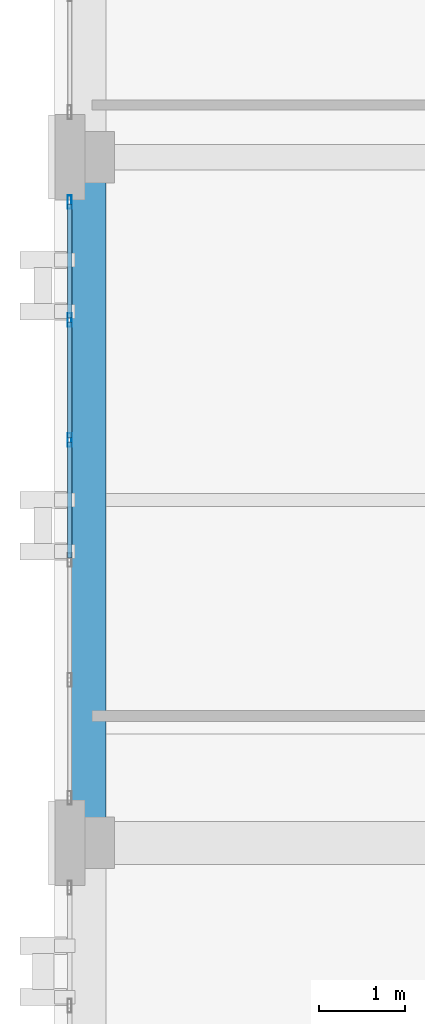
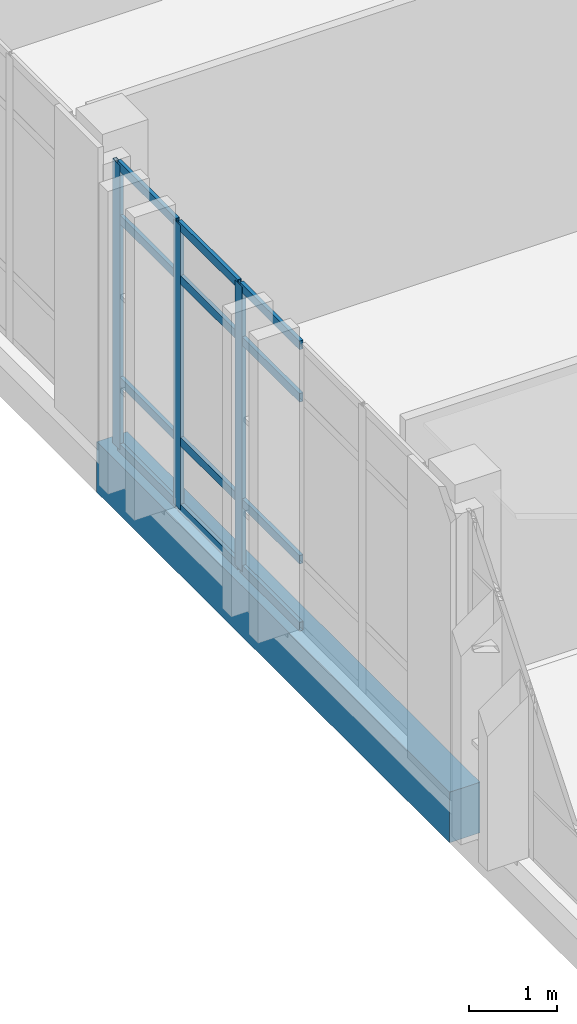
# One storey, part 10 of 48: 15 members, 1 beam, 1 element without a shape of its own.
"""IFC4 building model written with IfcOpenShell, lengths in metres."""

from ifc_helpers import new_model, si_unit, direction, frame, origin, origin_2d, place, context, subcontext, project, spatial, rectangle, hollow_rectangle, extrude, material, layer, layer_set, material_profile, profile_set, type_object, element, aggregate, save


model = new_model("IFC4")

# Units and contexts
model_context = context("Model", 3, precision=1e-05, world=origin(), true_north=direction((0.0, 1.0)))
body_context = subcontext(model_context, "Body", "Model", "MODEL_VIEW")
ifc_project = project(units=[si_unit("LENGTHUNIT", "METRE"), si_unit("AREAUNIT", "SQUARE_METRE"), si_unit("VOLUMEUNIT", "CUBIC_METRE"), si_unit("PLANEANGLEUNIT", "RADIAN"), si_unit("MASSUNIT", "GRAM", prefix="KILO")], contexts=[model_context])

# Site, building, storey
site_placement = place(None, origin())
site = spatial("IfcSite", under=ifc_project, at=site_placement, CompositionType="ELEMENT")
building_placement = place(site_placement, origin())
building = spatial("IfcBuilding", under=site, at=building_placement, Name="Qalavern Law Courts", CompositionType="ELEMENT")
storey_placement = place(building_placement, frame((0.0, 0.0, 31.199951171875)))
storey = spatial("IfcBuildingStorey", under=building, at=storey_placement, Name="L07", CompositionType="ELEMENT", Elevation=31.199951171875)

# Curtain wall, members
ifc_material_1 = material(Name="Anodised aluminium and insulated glazing", Category="aluminium")
ifc_layer = layer(ifc_material_1, 0.159912109375)
ifc_layer_set = layer_set([ifc_layer], Name="Anodised aluminium and insulated glazing")
curtain_wall_type = type_object("IfcCurtainWallType", Name="ENV-CW-CHAMB", PredefinedType="USERDEFINED", material=ifc_layer_set)
curtain_wall_placement = place(storey_placement, origin())
curtain_wall = element("IfcCurtainWall", 1, at=curtain_wall_placement, inside=storey, type_object=curtain_wall_type, Name="V3 unitised curtain wall L07 west 3", ObjectType="UNITISED CURTAIN WALL", PredefinedType="USERDEFINED")
ifc_material_2 = material(Name="Anodised aluminium", Category="aluminium")
ifc_material_profile_1 = material_profile(ifc_material_2, hollow_rectangle(XDim=0.048095703125, YDim=0.159912109375, WallThickness=0.00390625, at=origin_2d()), Name="ALU MULLION 48x160")
ifc_profile_set_1 = profile_set([ifc_material_profile_1], Name="Anodised aluminium")
member_type_1 = type_object("IfcMemberType", Name="ENV-CWM-48x160", PredefinedType="MULLION", material=ifc_profile_set_1)
member_1_placement = place(storey_placement, frame((2.177490234375, 64.8759765625, 0.0), z_axis=(0.0, 0.0, 1.0), x_axis=(1.0, 0.0, 0.0)))
member_1 = element("IfcMember", 2, at=member_1_placement, type_object=member_type_1, Name="CW-04 mullion 1", PredefinedType="MULLION", context=body_context, shape_type="SweptSolid", body=[
    extrude(hollow_rectangle(XDim=0.048095703125, YDim=0.159912109375, WallThickness=0.00390625, at=origin_2d()), origin(), (0.0, 0.0, 1.0), 3.93994140625),
])
member_2_placement = place(storey_placement, frame((2.177490234375, 63.5, 0.0), z_axis=(0.0, 0.0, 1.0), x_axis=(1.0, 0.0, 0.0)))
member_2 = element("IfcMember", 3, at=member_2_placement, type_object=member_type_1, Name="CW-04 mullion 2", PredefinedType="MULLION", context=body_context, shape_type="SweptSolid", body=[
    extrude(hollow_rectangle(XDim=0.048095703125, YDim=0.159912109375, WallThickness=0.00390625, at=origin_2d()), origin(), (0.0, 0.0, 1.0), 3.93994140625),
])
member_3_placement = place(storey_placement, frame((2.177490234375, 62.10009765625, 0.0), z_axis=(0.0, 0.0, 1.0), x_axis=(1.0, 0.0, 0.0)))
member_3 = element("IfcMember", 4, at=member_3_placement, type_object=member_type_1, Name="CW-04 mullion 3", PredefinedType="MULLION", context=body_context, shape_type="SweptSolid", body=[
    extrude(hollow_rectangle(XDim=0.048095703125, YDim=0.159912109375, WallThickness=0.00390625, at=origin_2d()), origin(), (0.0, 0.0, 1.0), 3.93994140625),
])
ifc_material_profile_2 = material_profile(ifc_material_2, hollow_rectangle(XDim=0.048095703125, YDim=0.1201171875, WallThickness=0.00390625, at=origin_2d()), Name="ALU TRANSOM 48x120")
ifc_profile_set_2 = profile_set([ifc_material_profile_2], Name="Anodised aluminium")
member_type_2 = type_object("IfcMemberType", Name="ENV-CWT-48x120", PredefinedType="USERDEFINED", material=ifc_profile_set_2)
member_4_placement = place(storey_placement, frame((2.177490234375, 64.85205078125, 0.024169921875), z_axis=(0.0, -1.0, 0.0), x_axis=(1.0, 0.0, 0.0)))
member_4 = element("IfcMember", 5, at=member_4_placement, type_object=member_type_2, Name="CW-04 transom 1.1", ObjectType="TRANSOM", PredefinedType="USERDEFINED", context=body_context, shape_type="SweptSolid", body=[
    extrude(hollow_rectangle(XDim=0.048095703125, YDim=0.1201171875, WallThickness=0.00390625, at=origin_2d()), origin(), (0.0, 0.0, 1.0), 1.328125),
])
member_5_placement = place(storey_placement, frame((2.177490234375, 64.85205078125, 0.949951171875), z_axis=(0.0, -1.0, 0.0), x_axis=(1.0, 0.0, 0.0)))
member_5 = element("IfcMember", 6, at=member_5_placement, type_object=member_type_2, Name="CW-04 transom 1.2", ObjectType="TRANSOM", PredefinedType="USERDEFINED", context=body_context, shape_type="SweptSolid", body=[
    extrude(hollow_rectangle(XDim=0.048095703125, YDim=0.1201171875, WallThickness=0.00390625, at=origin_2d()), origin(), (0.0, 0.0, 1.0), 1.328125),
])
member_6_placement = place(storey_placement, frame((2.177490234375, 64.85205078125, 3.18994140625), z_axis=(0.0, -1.0, 0.0), x_axis=(1.0, 0.0, 0.0)))
member_6 = element("IfcMember", 7, at=member_6_placement, type_object=member_type_2, Name="CW-04 transom 1.3", ObjectType="TRANSOM", PredefinedType="USERDEFINED", context=body_context, shape_type="SweptSolid", body=[
    extrude(hollow_rectangle(XDim=0.048095703125, YDim=0.1201171875, WallThickness=0.00390625, at=origin_2d()), origin(), (0.0, 0.0, 1.0), 1.328125),
])
member_7_placement = place(storey_placement, frame((2.177490234375, 64.85205078125, 3.916015625), z_axis=(0.0, -1.0, 0.0), x_axis=(1.0, 0.0, 0.0)))
member_7 = element("IfcMember", 8, at=member_7_placement, type_object=member_type_2, Name="CW-04 transom 1.4", ObjectType="TRANSOM", PredefinedType="USERDEFINED", context=body_context, shape_type="SweptSolid", body=[
    extrude(hollow_rectangle(XDim=0.048095703125, YDim=0.1201171875, WallThickness=0.00390625, at=origin_2d()), origin(), (0.0, 0.0, 1.0), 1.328125),
])
member_8_placement = place(storey_placement, frame((2.177490234375, 63.47607421875, 0.024169921875), z_axis=(0.0, -1.0, 0.0), x_axis=(1.0, 0.0, 0.0)))
member_8 = element("IfcMember", 9, at=member_8_placement, type_object=member_type_2, Name="CW-04 transom 2.1", ObjectType="TRANSOM", PredefinedType="USERDEFINED", context=body_context, shape_type="SweptSolid", body=[
    extrude(hollow_rectangle(XDim=0.048095703125, YDim=0.1201171875, WallThickness=0.00390625, at=origin_2d()), origin(), (0.0, 0.0, 1.0), 1.35205078125),
])
member_9_placement = place(storey_placement, frame((2.177490234375, 63.47607421875, 0.949951171875), z_axis=(0.0, -1.0, 0.0), x_axis=(1.0, 0.0, 0.0)))
member_9 = element("IfcMember", 10, at=member_9_placement, type_object=member_type_2, Name="CW-04 transom 2.2", ObjectType="TRANSOM", PredefinedType="USERDEFINED", context=body_context, shape_type="SweptSolid", body=[
    extrude(hollow_rectangle(XDim=0.048095703125, YDim=0.1201171875, WallThickness=0.00390625, at=origin_2d()), origin(), (0.0, 0.0, 1.0), 1.35205078125),
])
member_10_placement = place(storey_placement, frame((2.177490234375, 63.47607421875, 3.18994140625), z_axis=(0.0, -1.0, 0.0), x_axis=(1.0, 0.0, 0.0)))
member_10 = element("IfcMember", 11, at=member_10_placement, type_object=member_type_2, Name="CW-04 transom 2.3", ObjectType="TRANSOM", PredefinedType="USERDEFINED", context=body_context, shape_type="SweptSolid", body=[
    extrude(hollow_rectangle(XDim=0.048095703125, YDim=0.1201171875, WallThickness=0.00390625, at=origin_2d()), origin(), (0.0, 0.0, 1.0), 1.35205078125),
])
member_11_placement = place(storey_placement, frame((2.177490234375, 63.47607421875, 3.916015625), z_axis=(0.0, -1.0, 0.0), x_axis=(1.0, 0.0, 0.0)))
member_11 = element("IfcMember", 12, at=member_11_placement, type_object=member_type_2, Name="CW-04 transom 2.4", ObjectType="TRANSOM", PredefinedType="USERDEFINED", context=body_context, shape_type="SweptSolid", body=[
    extrude(hollow_rectangle(XDim=0.048095703125, YDim=0.1201171875, WallThickness=0.00390625, at=origin_2d()), origin(), (0.0, 0.0, 1.0), 1.35205078125),
])
member_12_placement = place(storey_placement, frame((2.177490234375, 62.075927734375, 0.024169921875), z_axis=(0.0, -1.0, 0.0), x_axis=(1.0, 0.0, 0.0)))
member_12 = element("IfcMember", 13, at=member_12_placement, type_object=member_type_2, Name="CW-04 transom 3.1", ObjectType="TRANSOM", PredefinedType="USERDEFINED", context=body_context, shape_type="SweptSolid", body=[
    extrude(hollow_rectangle(XDim=0.048095703125, YDim=0.1201171875, WallThickness=0.00390625, at=origin_2d()), origin(), (0.0, 0.0, 1.0), 1.351806640625),
])
member_13_placement = place(storey_placement, frame((2.177490234375, 62.075927734375, 0.949951171875), z_axis=(0.0, -1.0, 0.0), x_axis=(1.0, 0.0, 0.0)))
member_13 = element("IfcMember", 14, at=member_13_placement, type_object=member_type_2, Name="CW-04 transom 3.2", ObjectType="TRANSOM", PredefinedType="USERDEFINED", context=body_context, shape_type="SweptSolid", body=[
    extrude(hollow_rectangle(XDim=0.048095703125, YDim=0.1201171875, WallThickness=0.00390625, at=origin_2d()), origin(), (0.0, 0.0, 1.0), 1.351806640625),
])
member_14_placement = place(storey_placement, frame((2.177490234375, 62.075927734375, 3.18994140625), z_axis=(0.0, -1.0, 0.0), x_axis=(1.0, 0.0, 0.0)))
member_14 = element("IfcMember", 15, at=member_14_placement, type_object=member_type_2, Name="CW-04 transom 3.3", ObjectType="TRANSOM", PredefinedType="USERDEFINED", context=body_context, shape_type="SweptSolid", body=[
    extrude(hollow_rectangle(XDim=0.048095703125, YDim=0.1201171875, WallThickness=0.00390625, at=origin_2d()), origin(), (0.0, 0.0, 1.0), 1.351806640625),
])
member_15_placement = place(storey_placement, frame((2.177490234375, 62.075927734375, 3.916015625), z_axis=(0.0, -1.0, 0.0), x_axis=(1.0, 0.0, 0.0)))
member_15 = element("IfcMember", 16, at=member_15_placement, type_object=member_type_2, Name="CW-04 transom 3.4", ObjectType="TRANSOM", PredefinedType="USERDEFINED", context=body_context, shape_type="SweptSolid", body=[
    extrude(hollow_rectangle(XDim=0.048095703125, YDim=0.1201171875, WallThickness=0.00390625, at=origin_2d()), origin(), (0.0, 0.0, 1.0), 1.351806640625),
])
aggregate(curtain_wall, [member_1, member_2, member_3, member_4, member_5, member_6, member_7, member_8, member_9, member_10, member_11, member_12, member_13, member_14, member_15])

# Beam
ifc_material_3 = material(Name="Concrete C40/50", Category="concrete")
ifc_material_profile_3 = material_profile(ifc_material_3, rectangle(XDim=0.39990234375, YDim=0.699951171875, at=origin_2d()), Name="RC 400x700")
ifc_profile_set_3 = profile_set([ifc_material_profile_3], Name="Concrete C40/50")
beam_type = type_object("IfcBeamType", Name="STR-SP-RC400x700", PredefinedType="SPANDREL", material=ifc_profile_set_3)
beam_placement = place(storey_placement, frame((2.39990234375, 57.39990234375, -0.614990234375), z_axis=(0.0, 1.0, 0.0), x_axis=(-1.0, 0.0, 0.0)))
element("IfcBeam", 17, at=beam_placement, inside=storey, type_object=beam_type, Name="V3 Y-beam 1-3 L07", PredefinedType="SPANDREL", context=body_context, shape_type="SweptSolid", body=[
    extrude(rectangle(XDim=0.39990234375, YDim=0.699951171875, at=origin_2d()), origin(), (0.0, 0.0, 1.0), 8.0),
])

save(model, "model.ifc")
